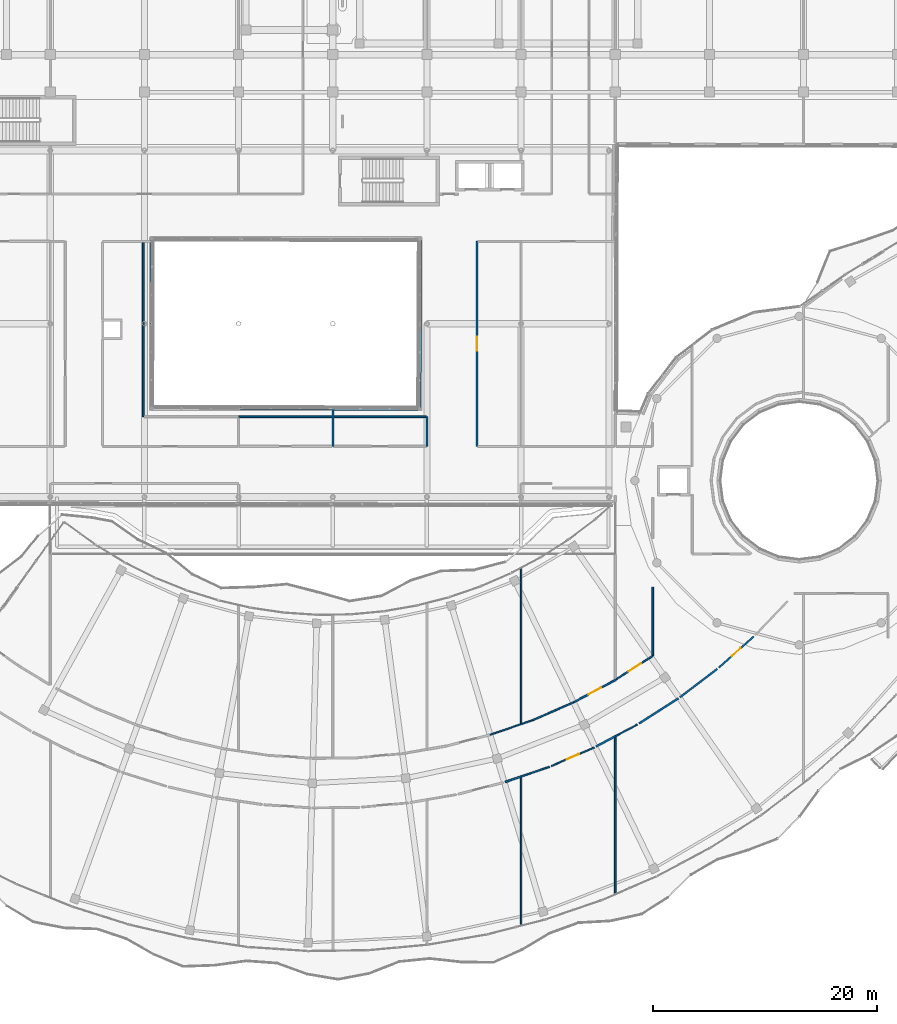
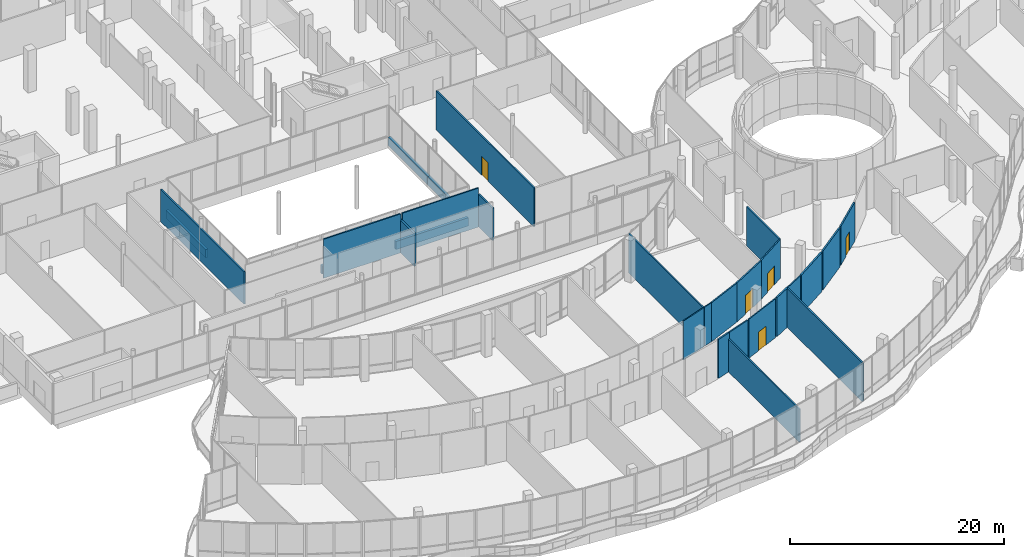
# One storey, part 140 of 168: 28 walls, 5 doors, 5 openings.
"""IFC4 building model written with IfcOpenShell, lengths in metres."""

import ifcopenshell
import ifcopenshell.guid

model = None  # the IFC model being written
_history = None  # IfcOwnerHistory: only IFC2X3 demands one
_inside = {}  # id of a spatial element -> (the spatial element, [elements in it])
_under = {}  # id of a project, library or spatial element -> (it, [spatial elements below it])
_declared = {}  # id of a project -> (the project, [libraries it declares])
_typed = {}  # id of a type object -> (the type object, [elements of that type])
_made_of = {}  # id of a material, layer set ... -> (it, [elements and type objects made of it])


def new_model(schema):
    """Start an empty IFC model of exactly this schema.

    Asked for "IFC4X3", IfcOpenShell would pick the latest addendum, in which some entities
    have other attributes; the version numbers below select the first issue.
    IFC2X3 requires an IfcOwnerHistory on every rooted entity: one is made here for all.
    """
    global model, _history
    if schema == "IFC4X3":
        model = ifcopenshell.file(schema_version=(4, 3, 0, 0))
    else:
        model = ifcopenshell.file(schema=schema)
    _inside.clear()
    _under.clear()
    _declared.clear()
    _typed.clear()
    _made_of.clear()
    _history = None
    if model.schema == "IFC2X3":
        org = make("IfcOrganization", Name="unknown")
        user = make(
            "IfcPersonAndOrganization",
            ThePerson=make("IfcPerson", FamilyName="unknown"),
            TheOrganization=org,
        )
        app = make(
            "IfcApplication",
            ApplicationDeveloper=org,
            Version="unknown",
            ApplicationFullName="unknown",
            ApplicationIdentifier="unknown",
        )
        _history = make(
            "IfcOwnerHistory",
            OwningUser=user,
            OwningApplication=app,
            ChangeAction="ADDED",
            CreationDate=0,
        )
    return model


def make(cls, **values):
    """One entity of the class cls with the attributes given. An attribute that is None is left unset."""
    return model.create_entity(
        cls, **{name: value for name, value in values.items() if value is not None}
    )


def rooted(cls, **values):
    """An entity with a GlobalId (a new one), such as an element, a storey or a relation."""
    return make(cls, GlobalId=ifcopenshell.guid.new(), OwnerHistory=_history, **values)


def si_unit(unit_type, name, prefix=None):
    """IfcSIUnit, for example si_unit("LENGTHUNIT", "METRE", prefix="MILLI")."""
    return make("IfcSIUnit", UnitType=unit_type, Prefix=prefix, Name=name)


def assignment(units):
    """IfcUnitAssignment: the units of a project."""
    return None if units is None else make("IfcUnitAssignment", Units=units)


def point(xyz):
    """IfcCartesianPoint."""
    return None if xyz is None else make("IfcCartesianPoint", Coordinates=xyz)


def direction(xyz):
    """IfcDirection."""
    return None if xyz is None else make("IfcDirection", DirectionRatios=xyz)


def frame(location, z_axis=None, x_axis=None):
    """IfcAxis2Placement3D, a coordinate frame: its origin and axes. An axis left out is left unset."""
    return make(
        "IfcAxis2Placement3D",
        Location=point(location),
        Axis=direction(z_axis),
        RefDirection=direction(x_axis),
    )


def frame_2d(location, x_axis=None):
    """IfcAxis2Placement2D, a coordinate frame in the plane: its origin and x axis."""
    return make(
        "IfcAxis2Placement2D", Location=point(location), RefDirection=direction(x_axis)
    )


def origin():
    """The frame at (0, 0, 0) with its axes left unset."""
    return frame((0.0, 0.0, 0.0))


def place(relative_to, where):
    """IfcLocalPlacement: puts the frame where relative to a parent placement (None: the world)."""
    return make(
        "IfcLocalPlacement", PlacementRelTo=relative_to, RelativePlacement=where
    )


def context(
    kind, dimensions, precision=None, world=None, true_north=None, identifier=None
):
    """IfcGeometricRepresentationContext, for example the 3D "Model" context."""
    return make(
        "IfcGeometricRepresentationContext",
        ContextIdentifier=identifier,
        ContextType=kind,
        CoordinateSpaceDimension=dimensions,
        Precision=precision,
        WorldCoordinateSystem=world,
        TrueNorth=true_north,
    )


def subcontext(parent, identifier, kind, view, scale=None):
    """IfcGeometricRepresentationSubContext, for example "Body" below "Model"."""
    return make(
        "IfcGeometricRepresentationSubContext",
        ContextIdentifier=identifier,
        ContextType=kind,
        ParentContext=parent,
        TargetScale=scale,
        TargetView=view,
    )


def project(units=None, contexts=None):
    """IfcProject with its units and contexts."""
    return rooted(
        "IfcProject",
        Name="project",
        RepresentationContexts=contexts,
        UnitsInContext=assignment(units),
    )


def spatial(cls, under=None, at=None, **own):
    """A site, building, storey or space (cls), placed at a placement, below another one or the project."""
    s = rooted(cls, ObjectPlacement=at, **own)
    if under is not None:
        _under.setdefault(under.id(), (under, []))[1].append(s)
    return s


def profile(cls, at=None, kind="AREA", **sizes):
    """A parametric profile (cls). Its sizes go by their IFC names, for example OverallWidth=200.0."""
    return make(cls, ProfileType=kind, Position=at, **sizes)


def rectangle(**sizes):
    """IfcRectangleProfileDef."""
    return profile("IfcRectangleProfileDef", **sizes)


def extrude(swept, where, along, depth):
    """IfcExtrudedAreaSolid: the profile swept, set in the frame where, extruded along a direction by depth."""
    return make(
        "IfcExtrudedAreaSolid",
        SweptArea=swept,
        Position=where,
        ExtrudedDirection=direction(along),
        Depth=depth,
    )


def shape(context_of_items, identifier, shape_type, items):
    """IfcShapeRepresentation: the items that make up one representation, for example the "Body"."""
    return make(
        "IfcShapeRepresentation",
        ContextOfItems=context_of_items,
        RepresentationIdentifier=identifier,
        RepresentationType=shape_type,
        Items=items,
    )


def material(Name=None, Category=None):
    """IfcMaterial."""
    return make("IfcMaterial", Name=Name, Category=Category)


def layer(
    of_material, thickness, ventilated=None, Name=None, Category=None, Priority=None
):
    """IfcMaterialLayer: one layer of a wall or slab, of a material (None: an air gap)."""
    return make(
        "IfcMaterialLayer",
        Material=of_material,
        LayerThickness=thickness,
        IsVentilated=ventilated,
        Name=Name,
        Category=Category,
        Priority=Priority,
    )


def layer_set(layers, Name=None):
    """IfcMaterialLayerSet."""
    return make("IfcMaterialLayerSet", MaterialLayers=layers, LayerSetName=Name)


def made_of(thing, what):
    """Note that an element or type object is made of a material, layer set ...; save() writes the relation."""
    if what is not None:
        _made_of.setdefault(what.id(), (what, []))[1].append(thing)
    return thing


def type_object(cls, material=None, **own):
    """A type object (cls), such as IfcWallType, which elements share."""
    return made_of(rooted(cls, **own), material)


def element(
    cls,
    number,
    at=None,
    inside=None,
    cuts=None,
    type_object=None,
    material=None,
    context=None,
    identifier="Body",
    shape_type=None,
    held_by="IfcProductDefinitionShape",
    body=None,
    shapes=None,
    **own,
):
    """One element of the class cls, such as IfcWall. Its Tag is "e" and its number.

    at: its placement. inside: the storey or other place that contains it. cuts: it is an
    opening in that element (IfcRelVoidsElement). A single representation is given by context,
    identifier, shape_type and body (its items); several are given by shapes. held_by: the class
    of the entity that holds the representations. save() writes the other relations.
    """
    e = rooted(cls, Tag="e%d" % number, ObjectPlacement=at, **own)
    if body is not None:
        shapes = [shape(context, identifier, shape_type, body)]
    if shapes is not None:
        e.Representation = make(held_by, Representations=shapes)
    if inside is not None:
        _inside.setdefault(inside.id(), (inside, []))[1].append(e)
    if cuts is not None:
        rooted(
            "IfcRelVoidsElement", RelatingBuildingElement=cuts, RelatedOpeningElement=e
        )
    if type_object is not None:
        _typed.setdefault(type_object.id(), (type_object, []))[1].append(e)
    return made_of(e, material)


def fill(opening, filler):
    """IfcRelFillsElement: the door or window that sits in an opening."""
    return rooted(
        "IfcRelFillsElement",
        RelatingOpeningElement=opening,
        RelatedBuildingElement=filler,
    )


def aggregate(whole, parts):
    """IfcRelAggregates: a whole, such as a stair, and the parts it consists of."""
    return rooted("IfcRelAggregates", RelatingObject=whole, RelatedObjects=parts)


def save(model, path):
    """Write the relations noted so far, then the file.

    IfcRelAggregates (storeys below a building ...), IfcRelContainedInSpatialStructure (elements
    in a storey), IfcRelDefinesByType, IfcRelAssociatesMaterial and IfcRelDeclares: one each for
    every whole, place, type object, material and project.
    """
    for whole, parts in _under.values():
        aggregate(whole, parts)
    for where, things in _inside.values():
        rooted(
            "IfcRelContainedInSpatialStructure",
            RelatedElements=things,
            RelatingStructure=where,
        )
    for kind, things in _typed.values():
        rooted("IfcRelDefinesByType", RelatedObjects=things, RelatingType=kind)
    for what, things in _made_of.values():
        rooted("IfcRelAssociatesMaterial", RelatedObjects=things, RelatingMaterial=what)
    for by, libraries in _declared.values():
        rooted("IfcRelDeclares", RelatingContext=by, RelatedDefinitions=libraries)
    model.write(path)


model = new_model("IFC4")

# Units and contexts
model_context = context("Model", 3, precision=1e-05, world=origin(), true_north=direction((0.0, 1.0)))
body_context = subcontext(model_context, "Body", "Model", "MODEL_VIEW")
ifc_project = project(units=[si_unit("LENGTHUNIT", "METRE"), si_unit("AREAUNIT", "SQUARE_METRE"), si_unit("VOLUMEUNIT", "CUBIC_METRE"), si_unit("PLANEANGLEUNIT", "RADIAN"), si_unit("MASSUNIT", "GRAM", prefix="KILO")], contexts=[model_context])

# Site, building, storey
site_placement = place(None, origin())
site = spatial("IfcSite", under=ifc_project, at=site_placement, CompositionType="ELEMENT")
building_placement = place(site_placement, origin())
building = spatial("IfcBuilding", under=site, at=building_placement, Name="Selatvlak General Hospital", CompositionType="ELEMENT")
storey_placement = place(building_placement, frame((0.0, 0.0, 5.39990234375)))
storey = spatial("IfcBuildingStorey", under=building, at=storey_placement, Name="L01", CompositionType="ELEMENT", Elevation=5.39990234375)

# Walls
ifc_material_1 = material(Name="Precast concrete C40/50 - white Bauhaus spandrel", Category="concrete")
ifc_layer_1 = layer(ifc_material_1, 0.280029296875, Name="Precast concrete C40/50 - white Bauhaus spandrel", Category="concrete")
ifc_layer_set_1 = layer_set([ifc_layer_1], Name="Precast concrete C40/50 - white Bauhaus spandrel")
wall_type_1 = type_object("IfcWallType", Name="WALL-EW-02", PredefinedType="SOLIDWALL", material=ifc_layer_set_1)
wall_1_placement = place(storey_placement, frame((40.259033203125, 75.4599609375, 0.0), z_axis=(0.0, 0.0, 1.0), x_axis=(-0.003911227273, -0.999992351121, 0.0)))
element("IfcWall", 1, at=wall_1_placement, inside=storey, type_object=wall_type_1, Name="L01 Bauhaus spandrel sill wall 0273", PredefinedType="SOLIDWALL", context=body_context, shape_type="SweptSolid", body=[
    extrude(rectangle(XDim=7.427978515625, YDim=0.280029296875, at=frame_2d((3.7138671875, 0.0))), origin(), (0.0, 0.0, 1.0), 0.940185546875),
])
wall_2_placement = place(storey_placement, frame((48.181884765625, 60.43994140625, 0.0), z_axis=(0.0, 0.0, 1.0), x_axis=(0.999996850095, -0.002509940058, 0.0)))
element("IfcWall", 2, at=wall_2_placement, inside=storey, type_object=wall_type_1, Name="L01 Bauhaus spandrel sill wall 0276", PredefinedType="SOLIDWALL", context=body_context, shape_type="SweptSolid", body=[
    extrude(rectangle(XDim=7.97607421875, YDim=0.280029296875, at=frame_2d((3.988037109375, 0.0))), origin(), (0.0, 0.0, 1.0), 0.940185546875),
])
wall_3_placement = place(storey_placement, frame((56.162109375, 60.419921875, 0.0), z_axis=(0.0, 0.0, 1.0), x_axis=(0.99999673805, -0.002554190522, 0.0)))
element("IfcWall", 3, at=wall_3_placement, inside=storey, type_object=wall_type_1, Name="L01 Bauhaus spandrel sill wall 0277", PredefinedType="SOLIDWALL", context=body_context, shape_type="SweptSolid", body=[
    extrude(rectangle(XDim=7.837890625, YDim=0.280029296875, at=frame_2d((3.9189453125, 0.0))), origin(), (0.0, 0.0, 1.0), 0.940185546875),
])
for number, where, z_axis, x_axis, name in (
    (4, (64.14111328125, 60.5400390625, 0.0), (0.0, 0.0, 1.0), (0.003878360313, 0.999992479132, 0.0), "L01 Bauhaus spandrel sill wall 0278"),
    (5, (64.169921875, 67.971923828125, 0.0), (0.0, 0.0, 1.0), (0.003911227273, 0.999992351121, 0.0), "L01 Bauhaus spandrel sill wall 0279"),
):
    element("IfcWall", number, at=place(storey_placement, frame(where, z_axis=z_axis, x_axis=x_axis)), inside=storey, type_object=wall_type_1, Name=name, PredefinedType="SOLIDWALL", context=body_context, shape_type="SweptSolid", body=[
        extrude(rectangle(XDim=7.427978515625, YDim=0.280029296875, at=frame_2d((3.7138671875, 0.0))), origin(), (0.0, 0.0, 1.0), 0.940185546875),
    ])
ifc_material_2 = material(Name="Acoustic gypsum stud partition")
ifc_layer_2 = layer(ifc_material_2, 0.179931640625, Name="Acoustic gypsum stud partition")
ifc_layer_set_2 = layer_set([ifc_layer_2], Name="Acoustic gypsum stud partition")
wall_type_2 = type_object("IfcWallType", Name="WALL-PT-01", PredefinedType="PARTITIONING", material=ifc_layer_set_2)
wall_4_placement = place(storey_placement, frame((56.39990234375, 60.376953125, 0.0), z_axis=(0.0, 0.0, 1.0), x_axis=(0.0, -1.0, 0.0)))
element("IfcWall", 6, at=wall_4_placement, inside=storey, type_object=wall_type_2, Name="L01 clinical partition PT-L01-0760", PredefinedType="PARTITIONING", context=body_context, shape_type="SweptSolid", body=[
    extrude(rectangle(XDim=3.31689453125, YDim=0.179931640625, at=frame_2d((1.658447265625, 0.0))), origin(), (0.0, 0.0, 1.0), 3.695068359375),
])
wall_5_placement = place(storey_placement, frame((79.882080078125, 30.280029296875, 0.0), z_axis=(0.0, 0.0, 1.0), x_axis=(0.882408473544, 0.470484097305, 0.0)))
element("IfcWall", 7, at=wall_5_placement, inside=storey, type_object=wall_type_2, Name="L01 clinical partition PT-L01-0790", PredefinedType="PARTITIONING", context=body_context, shape_type="SweptSolid", body=[
    extrude(rectangle(XDim=1.947021484375, YDim=0.179931640625, at=frame_2d((0.9736328125, 0.0))), origin(), (0.0, 0.0, 1.0), 4.445068359375),
])
wall_6_placement = place(storey_placement, frame((83.716064453125, 32.3330078125, 0.0), z_axis=(0.0, 0.0, 1.0), x_axis=(0.842288395676, 0.539027140792, 0.0)))
element("IfcWall", 8, at=wall_6_placement, inside=storey, type_object=wall_type_2, Name="L01 clinical partition PT-L01-0805", PredefinedType="PARTITIONING", context=body_context, shape_type="SweptSolid", body=[
    extrude(rectangle(XDim=4.174072265625, YDim=0.179931640625, at=frame_2d((2.0869140625, 0.0))), origin(), (0.0, 0.0, 1.0), 4.445068359375),
])
ifc_layer_3 = layer(ifc_material_2, 0.1650390625, Name="Acoustic gypsum stud partition")
ifc_layer_set_3 = layer_set([ifc_layer_3], Name="Acoustic gypsum stud partition")
wall_type_3 = type_object("IfcWallType", Name="WALL-PT-02", PredefinedType="PARTITIONING", material=ifc_layer_set_3)
wall_7_placement = place(storey_placement, frame((39.5, 75.25390625, 0.0), z_axis=(0.0, 0.0, 1.0), x_axis=(0.0, -1.0, 0.0)))
element("IfcWall", 9, at=wall_7_placement, inside=storey, type_object=wall_type_3, Name="L01 clinical partition PT-L01-0746", PredefinedType="PARTITIONING", context=body_context, shape_type="SweptSolid", body=[
    extrude(rectangle(XDim=15.553955078125, YDim=0.1650390625, at=frame_2d((7.77685546875, 0.0))), origin(), (0.0, 0.0, 1.0), 3.695068359375),
])
wall_8_placement = place(storey_placement, frame((64.800048828125, 59.699951171875, 0.0), z_axis=(0.0, 0.0, 1.0), x_axis=(0.0, -1.0, 0.0)))
element("IfcWall", 10, at=wall_8_placement, inside=storey, type_object=wall_type_3, Name="L01 clinical partition PT-L01-0771", PredefinedType="PARTITIONING", context=body_context, shape_type="SweptSolid", body=[
    extrude(rectangle(XDim=2.639892578125, YDim=0.1650390625, at=frame_2d((1.31982421875, 0.0))), origin(), (0.0, 0.0, 1.0), 3.695068359375),
])
wall_9_placement = place(storey_placement, frame((71.783935546875, 27.118896484375, 0.0), z_axis=(0.0, 0.0, 1.0), x_axis=(0.945824378739, 0.324678678978, 0.0)))
element("IfcWall", 11, at=wall_9_placement, inside=storey, type_object=wall_type_3, Name="L01 clinical partition PT-L01-0776", PredefinedType="PARTITIONING", context=body_context, shape_type="SweptSolid", body=[
    extrude(rectangle(XDim=1.4970703125, YDim=0.1650390625, at=frame_2d((0.74853515625, 0.0))), origin(), (0.0, 0.0, 1.0), 4.445068359375),
])
wall_10_placement = place(storey_placement, frame((81.60009765625, 31.09912109375, 0.0), z_axis=(0.0, 0.0, 1.0), x_axis=(0.0, -1.0, 0.0)))
element("IfcWall", 12, at=wall_10_placement, inside=storey, type_object=wall_type_3, Name="L01 clinical partition PT-L01-0791", PredefinedType="PARTITIONING", context=body_context, shape_type="SweptSolid", body=[
    extrude(rectangle(XDim=14.004150390625, YDim=0.1650390625, at=frame_2d((7.001953125, 0.0))), origin(), (0.0, 0.0, 1.0), 4.445068359375),
])
wall_11_placement = place(storey_placement, frame((87.376953125, 34.68310546875, 0.0), z_axis=(0.0, 0.0, 1.0), x_axis=(0.796625223487, 0.604473533998, 0.0)))
element("IfcWall", 13, at=wall_11_placement, inside=storey, type_object=wall_type_3, Name="L01 clinical partition PT-L01-0806", PredefinedType="PARTITIONING", context=body_context, shape_type="SweptSolid", body=[
    extrude(rectangle(XDim=4.173828125, YDim=0.1650390625, at=frame_2d((2.0869140625, 0.0))), origin(), (0.0, 0.0, 1.0), 4.445068359375),
])
ifc_layer_4 = layer(ifc_material_2, 0.14990234375, Name="Acoustic gypsum stud partition")
ifc_layer_set_4 = layer_set([ifc_layer_4], Name="Acoustic gypsum stud partition")
wall_type_4 = type_object("IfcWallType", Name="WALL-PT-03", PredefinedType="PARTITIONING", material=ifc_layer_set_4)
wall_12_placement = place(storey_placement, frame((48.0, 59.699951171875, 0.0), z_axis=(0.0, 0.0, 1.0), x_axis=(1.0, 0.0, 0.0)))
element("IfcWall", 14, at=wall_12_placement, inside=storey, type_object=wall_type_4, Name="L01 clinical partition PT-L01-0762", PredefinedType="PARTITIONING", context=body_context, shape_type="SweptSolid", body=[
    extrude(rectangle(XDim=8.31396484375, YDim=0.14990234375, at=frame_2d((4.156982421875, 0.0))), origin(), (0.0, 0.0, 1.0), 4.445068359375),
])
wall_13_placement = place(storey_placement, frame((73.199951171875, 27.52197265625, 0.0), z_axis=(0.0, 0.0, 1.0), x_axis=(0.0, -1.0, 0.0)))
element("IfcWall", 15, at=wall_13_placement, inside=storey, type_object=wall_type_4, Name="L01 clinical partition PT-L01-0777", PredefinedType="PARTITIONING", context=body_context, shape_type="SweptSolid", body=[
    extrude(rectangle(XDim=13.22900390625, YDim=0.14990234375, at=frame_2d((6.614501953125, 0.0))), origin(), (0.0, 0.0, 1.0), 3.7451171875),
])

# Wall, opening, door
wall_14_placement = place(storey_placement, frame((69.260009765625, 57.06005859375, 0.0), z_axis=(0.0, 0.0, 1.0), x_axis=(0.0, 1.0, 0.0)))
wall_14 = element("IfcWall", 16, at=wall_14_placement, inside=storey, type_object=wall_type_4, Name="L01 clinical partition PT-L01-0782", PredefinedType="PARTITIONING", context=body_context, shape_type="SweptSolid", body=[
    extrude(rectangle(XDim=18.280029296875, YDim=0.14990234375, at=frame_2d((9.14013671875, 0.0))), origin(), (0.0, 0.0, 1.0), 4.445068359375),
])
opening_1_placement = place(wall_14_placement, frame((8.514892578125, 0.0, 0.0)))
opening_1 = element("IfcOpeningElement", 17, at=opening_1_placement, cuts=wall_14, Name="Opening D-08", PredefinedType="OPENING", context=body_context, shape_type="SweptSolid", body=[
    extrude(rectangle(XDim=1.25, YDim=2.14990234375, at=frame_2d((0.625, 1.074951171875))), frame((0.0, 0.0849609375, 0.0), z_axis=(0.0, -1.0, 0.0), x_axis=(1.0, 0.0, 0.0)), (0.0, 0.0, 1.0), 0.169921875),
])
ifc_material_3 = material(Name="Diagnostic treatment door")
door_type_1 = type_object("IfcDoorType", Name="DOOR-D-08", OperationType="NOTDEFINED", PredefinedType="DOOR", material=ifc_material_3)
door_1_placement = place(opening_1_placement, origin())
door_1 = element("IfcDoor", 18, at=door_1_placement, inside=storey, type_object=door_type_1, Name="L01 Pre-Operative Day Surgery Ward 17 door", OperationType="SINGLE_SWING_RIGHT", OverallHeight=2.14990234375, OverallWidth=1.25, PredefinedType="DOOR", context=body_context, shape_type="SweptSolid", body=[
    extrude(rectangle(XDim=1.25, YDim=2.14990234375, at=frame_2d((0.625, 1.074951171875))), frame((0.0, 0.02490234375, 0.0), z_axis=(0.0, -1.0, 0.0), x_axis=(1.0, 0.0, 0.0)), (0.0, 0.0, 1.0), 0.050048828125),
])
fill(opening_1, door_1)

wall_15_placement = place(storey_placement, frame((81.638916015625, 36.22607421875, 0.0), z_axis=(0.0, 0.0, 1.0), x_axis=(-0.882373557975, -0.470549576758, 0.0)))
wall_15 = element("IfcWall", 19, at=wall_15_placement, inside=storey, type_object=wall_type_4, Name="L01 clinical partition PT-L01-0797", PredefinedType="PARTITIONING", context=body_context, shape_type="SweptSolid", body=[
    extrude(rectangle(XDim=4.26123046875, YDim=0.14990234375, at=frame_2d((2.130615234375, 0.0))), origin(), (0.0, 0.0, 1.0), 4.445068359375),
])
opening_2_placement = place(wall_15_placement, frame((1.48095703125, 0.0, 0.0)))
opening_2 = element("IfcOpeningElement", 20, at=opening_2_placement, cuts=wall_15, Name="Opening D-24", PredefinedType="OPENING", context=body_context, shape_type="SweptSolid", body=[
    extrude(rectangle(XDim=1.300048828125, YDim=2.14990234375, at=frame_2d((0.64990234375, 1.074951171875))), frame((0.0, 0.0849609375, 0.0), z_axis=(0.0, -1.0, 0.0), x_axis=(1.0, 0.0, 0.0)), (0.0, 0.0, 1.0), 0.169921875),
])
ifc_material_4 = material(Name="Oncology bay door")
door_type_2 = type_object("IfcDoorType", Name="DOOR-D-24", OperationType="NOTDEFINED", PredefinedType="DOOR", material=ifc_material_4)
door_2_placement = place(opening_2_placement, origin())
door_2 = element("IfcDoor", 21, at=door_2_placement, inside=storey, type_object=door_type_2, Name="L01 Cardiology Outpatient Suite 20 door", OperationType="SINGLE_SWING_RIGHT", OverallHeight=2.14990234375, OverallWidth=1.300048828125, PredefinedType="DOOR", context=body_context, shape_type="SweptSolid", body=[
    extrude(rectangle(XDim=1.300048828125, YDim=2.14990234375, at=frame_2d((0.64990234375, 1.074951171875))), frame((0.0, 0.02490234375, 0.0), z_axis=(0.0, -1.0, 0.0), x_axis=(1.0, 0.0, 0.0)), (0.0, 0.0, 1.0), 0.050048828125),
])
fill(opening_2, door_2)

wall_16_placement = place(storey_placement, frame((90.8369140625, 37.318115234375, 0.0), z_axis=(0.0, 0.0, 1.0), x_axis=(0.746227117169, 0.66569143723, 0.0)))
wall_16 = element("IfcWall", 22, at=wall_16_placement, inside=storey, type_object=wall_type_4, Name="L01 clinical partition PT-L01-0807", PredefinedType="PARTITIONING", context=body_context, shape_type="SweptSolid", body=[
    extrude(rectangle(XDim=4.17431640625, YDim=0.14990234375, at=frame_2d((2.087158203125, 0.0))), origin(), (0.0, 0.0, 1.0), 4.445068359375),
])
opening_3_placement = place(wall_16_placement, frame((1.56201171875, 0.0, 0.0)))
opening_3 = element("IfcOpeningElement", 23, at=opening_3_placement, cuts=wall_16, Name="Opening D-04", PredefinedType="OPENING", context=body_context, shape_type="SweptSolid", body=[
    extrude(rectangle(XDim=1.050048828125, YDim=2.14990234375, at=frame_2d((0.52490234375, 1.074951171875))), frame((0.0, 0.0849609375, 0.0), z_axis=(0.0, -1.0, 0.0), x_axis=(1.0, 0.0, 0.0)), (0.0, 0.0, 1.0), 0.169921875),
])
ifc_material_5 = material(Name="Consultation room door")
door_type_3 = type_object("IfcDoorType", Name="DOOR-D-04", OperationType="NOTDEFINED", PredefinedType="DOOR", material=ifc_material_5)
door_3_placement = place(opening_3_placement, origin())
door_3 = element("IfcDoor", 24, at=door_3_placement, inside=storey, type_object=door_type_3, Name="L01 Outpatient Specialist Waiting Concourse 22 door", OperationType="SINGLE_SWING_RIGHT", OverallHeight=2.14990234375, OverallWidth=1.050048828125, PredefinedType="DOOR", context=body_context, shape_type="SweptSolid", body=[
    extrude(rectangle(XDim=1.050048828125, YDim=2.14990234375, at=frame_2d((0.52490234375, 1.074951171875))), frame((0.0, 0.02490234375, 0.0), z_axis=(0.0, -1.0, 0.0), x_axis=(1.0, 0.0, 0.0)), (0.0, 0.0, 1.0), 0.050048828125),
])
fill(opening_3, door_3)

# Walls
wall_17_placement = place(storey_placement, frame((84.93994140625, 44.4990234375, 0.0), z_axis=(0.0, 0.0, 1.0), x_axis=(0.0, -1.0, 0.0)))
element("IfcWall", 25, at=wall_17_placement, inside=storey, type_object=wall_type_4, Name="L01 clinical partition PT-L01-0812", PredefinedType="PARTITIONING", context=body_context, shape_type="SweptSolid", body=[
    extrude(rectangle(XDim=6.115966796875, YDim=0.14990234375, at=frame_2d((3.05810546875, 0.0))), origin(), (0.0, 0.0, 1.0), 4.445068359375),
])
ifc_material_6 = material(Name="Moisture-resistant clinical partition")
ifc_layer_5 = layer(ifc_material_6, 0.135009765625, Name="Moisture-resistant clinical partition")
ifc_layer_set_5 = layer_set([ifc_layer_5], Name="Moisture-resistant clinical partition")
wall_type_5 = type_object("IfcWallType", Name="WALL-PT-04", PredefinedType="PARTITIONING", material=ifc_layer_set_5)
wall_18_placement = place(storey_placement, frame((56.486083984375, 59.699951171875, 0.0), z_axis=(0.0, 0.0, 1.0), x_axis=(1.0, 0.0, 0.0)))
element("IfcWall", 26, at=wall_18_placement, inside=storey, type_object=wall_type_5, Name="L01 clinical partition PT-L01-0773", PredefinedType="PARTITIONING", context=body_context, shape_type="SweptSolid", body=[
    extrude(rectangle(XDim=8.23486328125, YDim=0.135009765625, at=frame_2d((4.117431640625, 0.0))), origin(), (0.0, 0.0, 1.0), 4.445068359375),
])
wall_19_placement = place(storey_placement, frame((73.199951171875, 46.195068359375, 0.0), z_axis=(0.0, 0.0, 1.0), x_axis=(0.0, -1.0, 0.0)))
element("IfcWall", 27, at=wall_19_placement, inside=storey, type_object=wall_type_5, Name="L01 clinical partition PT-L01-0778", PredefinedType="PARTITIONING", context=body_context, shape_type="SweptSolid", body=[
    extrude(rectangle(XDim=13.9169921875, YDim=0.135009765625, at=frame_2d((6.95849609375, 0.0))), origin(), (0.0, 0.0, 1.0), 4.445068359375),
])
wall_20_placement = place(storey_placement, frame((73.199951171875, 27.60498046875, 0.0), z_axis=(0.0, 0.0, 1.0), x_axis=(0.945827570445, 0.324669381042, 0.0)))
element("IfcWall", 28, at=wall_20_placement, inside=storey, type_object=wall_type_5, Name="L01 clinical partition PT-L01-0788", PredefinedType="PARTITIONING", context=body_context, shape_type="SweptSolid", body=[
    extrude(rectangle(XDim=2.677001953125, YDim=0.135009765625, at=frame_2d((1.33837890625, 0.0))), origin(), (0.0, 0.0, 1.0), 4.445068359375),
])
wall_21_placement = place(storey_placement, frame((77.87890625, 34.220947265625, 0.0), z_axis=(0.0, 0.0, 1.0), x_axis=(-0.916925298724, -0.399058888586, 0.0)))
element("IfcWall", 29, at=wall_21_placement, inside=storey, type_object=wall_type_5, Name="L01 clinical partition PT-L01-0798", PredefinedType="PARTITIONING", context=body_context, shape_type="SweptSolid", body=[
    extrude(rectangle(XDim=3.996826171875, YDim=0.135009765625, at=frame_2d((1.99853515625, 0.0))), origin(), (0.0, 0.0, 1.0), 4.445068359375),
])

# Wall, opening, door
wall_22_placement = place(storey_placement, frame((84.969970703125, 38.383056640625, 0.0), z_axis=(0.0, 0.0, 1.0), x_axis=(-0.842236233033, -0.539108641895, 0.0)))
wall_22 = element("IfcWall", 30, at=wall_22_placement, inside=storey, type_object=wall_type_5, Name="L01 clinical partition PT-L01-0813", PredefinedType="PARTITIONING", context=body_context, shape_type="SweptSolid", body=[
    extrude(rectangle(XDim=3.90869140625, YDim=0.135009765625, at=frame_2d((1.954345703125, 0.0))), origin(), (0.0, 0.0, 1.0), 4.445068359375),
])
opening_4_placement = place(wall_22_placement, frame((1.279052734375, 0.0, 0.0)))
opening_4 = element("IfcOpeningElement", 31, at=opening_4_placement, cuts=wall_22, Name="Opening D-10", PredefinedType="OPENING", context=body_context, shape_type="SweptSolid", body=[
    extrude(rectangle(XDim=1.35009765625, YDim=2.14990234375, at=frame_2d((0.675048828125, 1.074951171875))), frame((0.0, 0.077392578125, 0.0), z_axis=(0.0, -1.0, 0.0), x_axis=(1.0, 0.0, 0.0)), (0.0, 0.0, 1.0), 0.155029296875),
])
ifc_material_7 = material(Name="Single patient bed door")
door_type_4 = type_object("IfcDoorType", Name="DOOR-D-10", OperationType="NOTDEFINED", PredefinedType="DOOR", material=ifc_material_7)
door_4_placement = place(opening_4_placement, origin())
door_4 = element("IfcDoor", 32, at=door_4_placement, inside=storey, type_object=door_type_4, Name="L01 Cardiology Outpatient Suite 23 door", OperationType="SINGLE_SWING_LEFT", OverallHeight=2.14990234375, OverallWidth=1.35009765625, PredefinedType="DOOR", context=body_context, shape_type="SweptSolid", body=[
    extrude(rectangle(XDim=1.35009765625, YDim=2.14990234375, at=frame_2d((0.675048828125, 1.074951171875))), frame((0.0, 0.02490234375, 0.0), z_axis=(0.0, -1.0, 0.0), x_axis=(1.0, 0.0, 0.0)), (0.0, 0.0, 1.0), 0.050048828125),
])
fill(opening_4, door_4)

# Wall
ifc_layer_6 = layer(ifc_material_6, 0.1201171875, Name="Moisture-resistant clinical partition")
ifc_layer_set_6 = layer_set([ifc_layer_6], Name="Moisture-resistant clinical partition")
wall_type_6 = type_object("IfcWallType", Name="WALL-PT-05", PredefinedType="PARTITIONING", material=ifc_layer_set_6)
wall_23_placement = place(storey_placement, frame((73.199951171875, 32.278076171875, 0.0), z_axis=(0.0, 0.0, 1.0), x_axis=(-0.94578196559, -0.324802206836, 0.0)))
element("IfcWall", 33, at=wall_23_placement, inside=storey, type_object=wall_type_6, Name="L01 clinical partition PT-L01-0779", PredefinedType="PARTITIONING", context=body_context, shape_type="SweptSolid", body=[
    extrude(rectangle(XDim=2.925537109375, YDim=0.1201171875, at=frame_2d((1.462890625, 0.0))), origin(), (0.0, 0.0, 1.0), 4.445068359375),
])

# Wall, opening, door
wall_24_placement = place(storey_placement, frame((75.89697265625, 28.5380859375, 0.0), z_axis=(0.0, 0.0, 1.0), x_axis=(0.916891425258, 0.399136711276, 0.0)))
wall_24 = element("IfcWall", 34, at=wall_24_placement, inside=storey, type_object=wall_type_6, Name="L01 clinical partition PT-L01-0789", PredefinedType="PARTITIONING", context=body_context, shape_type="SweptSolid", body=[
    extrude(rectangle(XDim=4.174072265625, YDim=0.1201171875, at=frame_2d((2.0869140625, 0.0))), origin(), (0.0, 0.0, 1.0), 4.445068359375),
])
opening_5_placement = place(wall_24_placement, frame((1.487060546875, 0.0, 0.0)))
opening_5 = element("IfcOpeningElement", 35, at=opening_5_placement, cuts=wall_24, Name="Opening D-23", PredefinedType="OPENING", context=body_context, shape_type="SweptSolid", body=[
    extrude(rectangle(XDim=1.199951171875, YDim=2.14990234375, at=frame_2d((0.60009765625, 1.074951171875))), frame((0.0, 0.070068359375, 0.0), z_axis=(0.0, -1.0, 0.0), x_axis=(1.0, 0.0, 0.0)), (0.0, 0.0, 1.0), 0.14013671875),
])
ifc_material_8 = material(Name="Endoscopy clinical door")
door_type_5 = type_object("IfcDoorType", Name="DOOR-D-23", OperationType="NOTDEFINED", PredefinedType="DOOR", material=ifc_material_8)
door_5_placement = place(opening_5_placement, origin())
door_5 = element("IfcDoor", 36, at=door_5_placement, inside=storey, type_object=door_type_5, Name="L01 Orthopaedic Specialist Clinic 19 door", OperationType="SINGLE_SWING_LEFT", OverallHeight=2.14990234375, OverallWidth=1.199951171875, PredefinedType="DOOR", context=body_context, shape_type="SweptSolid", body=[
    extrude(rectangle(XDim=1.199951171875, YDim=2.14990234375, at=frame_2d((0.60009765625, 1.074951171875))), frame((0.0, 0.02490234375, 0.0), z_axis=(0.0, -1.0, 0.0), x_axis=(1.0, 0.0, 0.0)), (0.0, 0.0, 1.0), 0.050048828125),
])
fill(opening_5, door_5)

# Walls
wall_25_placement = place(storey_placement, frame((74.214111328125, 32.6259765625, 0.0), z_axis=(0.0, 0.0, 1.0), x_axis=(-0.945901199619, -0.324454805111, 0.0)))
element("IfcWall", 37, at=wall_25_placement, inside=storey, type_object=wall_type_6, Name="L01 clinical partition PT-L01-0799", PredefinedType="PARTITIONING", context=body_context, shape_type="SweptSolid", body=[
    extrude(rectangle(XDim=1.004638671875, YDim=0.1201171875, at=frame_2d((0.50244140625, 0.0))), origin(), (0.0, 0.0, 1.0), 4.445068359375),
])
wall_26_placement = place(storey_placement, frame((81.60009765625, 31.196044921875, 0.0), z_axis=(0.0, 0.0, 1.0), x_axis=(0.882365080709, 0.470565472963, 0.0)))
element("IfcWall", 38, at=wall_26_placement, inside=storey, type_object=wall_type_6, Name="L01 clinical partition PT-L01-0804", PredefinedType="PARTITIONING", context=body_context, shape_type="SweptSolid", body=[
    extrude(rectangle(XDim=2.226806640625, YDim=0.1201171875, at=frame_2d((1.11328125, 0.0))), origin(), (0.0, 0.0, 1.0), 4.445068359375),
])

save(model, "model.ifc")
